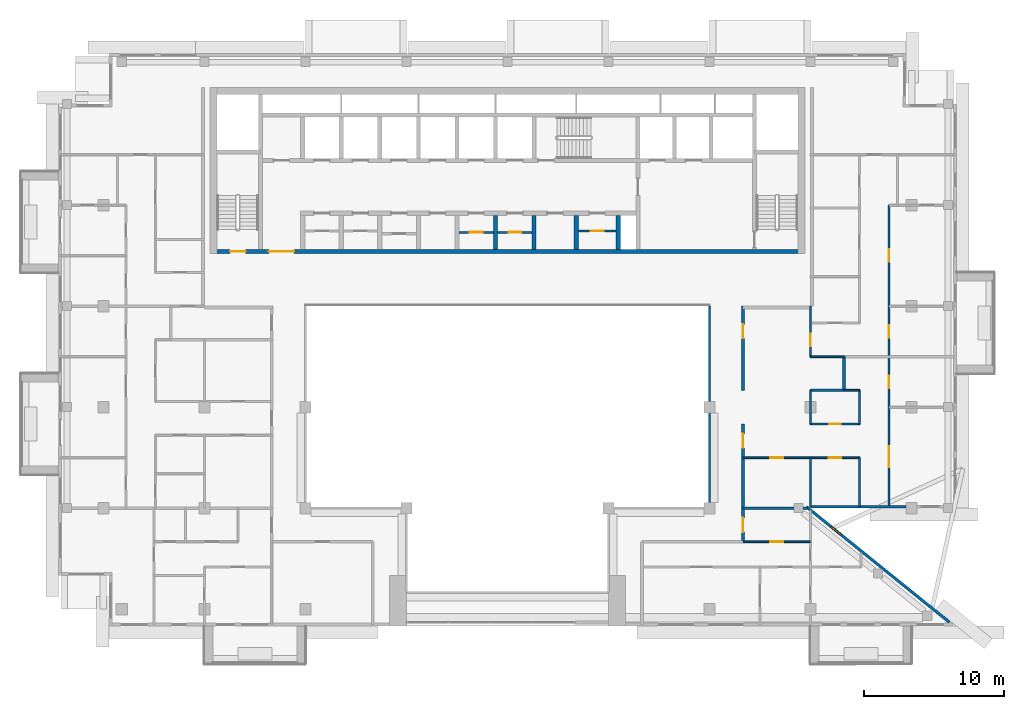
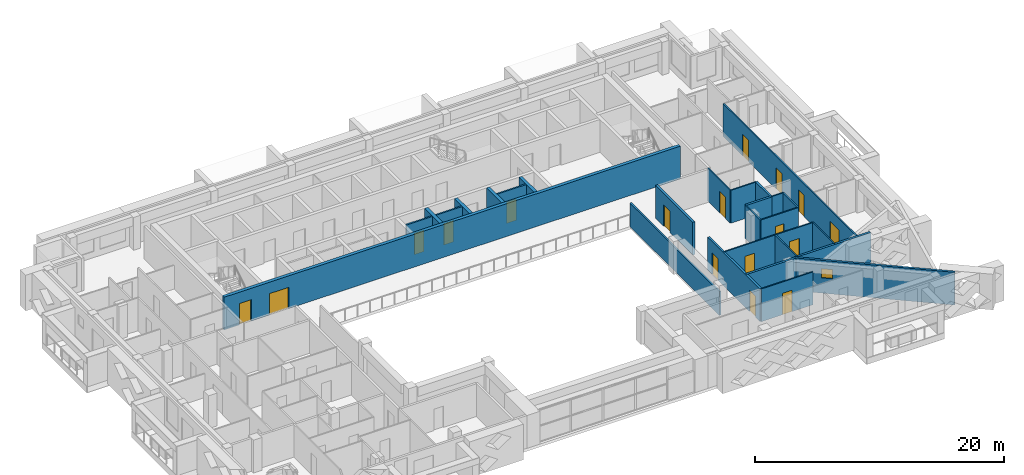
# One storey, part 9 of 19: 27 walls, 17 doors, 1 window, 18 openings.
"""IFC4 building model written with IfcOpenShell, lengths in metres."""

from ifc_helpers import new_model, si_unit, direction, frame, frame_2d, origin, place, context, subcontext, project, spatial, rectangle, extrude, material, layer, layer_set, type_object, element, fill, save


model = new_model("IFC4")

# Units and contexts
model_context = context("Model", 3, precision=1e-05, world=origin(), true_north=direction((0.0, 1.0)))
body_context = subcontext(model_context, "Body", "Model", "MODEL_VIEW")
ifc_project = project(units=[si_unit("LENGTHUNIT", "METRE"), si_unit("AREAUNIT", "SQUARE_METRE"), si_unit("VOLUMEUNIT", "CUBIC_METRE"), si_unit("PLANEANGLEUNIT", "RADIAN"), si_unit("MASSUNIT", "GRAM", prefix="KILO")], contexts=[model_context])

# Site, building, storey
site_placement = place(None, origin())
site = spatial("IfcSite", under=ifc_project, at=site_placement, CompositionType="ELEMENT")
building_placement = place(site_placement, origin())
building = spatial("IfcBuilding", under=site, at=building_placement, Name="Saffron Iwan Residences", CompositionType="ELEMENT")
storey_placement = place(building_placement, frame((0.0, 0.0, 243.0)))
storey = spatial("IfcBuildingStorey", under=building, at=storey_placement, Name="L65", CompositionType="ELEMENT", Elevation=243.0)

# Wall
ifc_material_1 = material(Name="Fire-rated glazing", Category="glass")
ifc_layer_1 = layer(ifc_material_1, 0.14990234375)
ifc_layer_set_1 = layer_set([ifc_layer_1], Name="Fire-rated glazing")
wall_type_1 = type_object("IfcWallType", Name="Atrium glazed screen 150", PredefinedType="SOLIDWALL", material=ifc_layer_set_1)
wall_1_placement = place(storey_placement, frame((64.800048828125, 48.0, 0.0), z_axis=(0.0, 0.0, 1.0), x_axis=(0.0, 1.0, 0.0)))
element("IfcWall", 1, at=wall_1_placement, inside=storey, type_object=wall_type_1, Name="W-L65-SCREEN-v64.8-48", PredefinedType="SOLIDWALL", context=body_context, shape_type="SweptSolid", body=[
    extrude(rectangle(XDim=14.39990234375, YDim=0.14990234375, at=frame_2d((7.199951171875, 0.0))), origin(), (0.0, 0.0, 1.0), 2.320068359375),
])

# Wall, opening, door
ifc_material_2 = material(Name="Fire-rated plasterboard partition")
ifc_layer_2 = layer(ifc_material_2, 0.14990234375)
ifc_layer_set_2 = layer_set([ifc_layer_2], Name="Fire-rated plasterboard partition")
wall_type_2 = type_object("IfcWallType", Name="Core partition 150", PredefinedType="PARTITIONING", material=ifc_layer_set_2)
wall_2_placement = place(storey_placement, frame((46.949951171875, 67.66259765625, 0.0), z_axis=(0.0, 0.0, 1.0), x_axis=(1.0, 0.0, 0.0)))
wall_2 = element("IfcWall", 2, at=wall_2_placement, inside=storey, type_object=wall_type_2, Name="Core partition P04", PredefinedType="PARTITIONING", context=body_context, shape_type="SweptSolid", body=[
    extrude(rectangle(XDim=2.449951171875, YDim=0.14990234375, at=frame_2d((1.22509765625, 0.0))), origin(), (0.0, 0.0, 1.0), 3.219970703125),
])
opening_1_placement = place(wall_2_placement, frame((0.77490234375, 0.0, 0.0)))
opening_1 = element("IfcOpeningElement", 3, at=opening_1_placement, cuts=wall_2, Name="Opening SB", PredefinedType="OPENING", context=body_context, shape_type="SweptSolid", body=[
    extrude(rectangle(XDim=0.89990234375, YDim=2.10009765625, at=frame_2d((0.449951171875, 1.050048828125))), frame((0.0, 0.0849609375, 0.0), z_axis=(0.0, -1.0, 0.0), x_axis=(1.0, 0.0, 0.0)), (0.0, 0.0, 1.0), 0.169921875),
])
ifc_material_3 = material(Name="Steel fire door", Category="steel")
door_type_1 = type_object("IfcDoorType", Name="Store door 900", OperationType="NOTDEFINED", PredefinedType="DOOR", material=ifc_material_3)
door_1_placement = place(opening_1_placement, origin())
door_1 = element("IfcDoor", 4, at=door_1_placement, inside=storey, type_object=door_type_1, Name="Door Spares store", OperationType="SINGLE_SWING_RIGHT", OverallHeight=2.10009765625, OverallWidth=0.89990234375, PredefinedType="DOOR", context=body_context, shape_type="SweptSolid", body=[
    extrude(rectangle(XDim=0.89990234375, YDim=2.10009765625, at=frame_2d((0.449951171875, 1.050048828125))), frame((0.0, 0.02490234375, 0.0), z_axis=(0.0, -1.0, 0.0), x_axis=(1.0, 0.0, 0.0)), (0.0, 0.0, 1.0), 0.050048828125),
])
fill(opening_1, door_1)

wall_3_placement = place(storey_placement, frame((49.699951171875, 67.66259765625, 0.0), z_axis=(0.0, 0.0, 1.0), x_axis=(1.0, 0.0, 0.0)))
wall_3 = element("IfcWall", 5, at=wall_3_placement, inside=storey, type_object=wall_type_2, Name="Core partition P05", PredefinedType="PARTITIONING", context=body_context, shape_type="SweptSolid", body=[
    extrude(rectangle(XDim=2.449951171875, YDim=0.14990234375, at=frame_2d((1.22509765625, 0.0))), origin(), (0.0, 0.0, 1.0), 3.219970703125),
])
opening_2_placement = place(wall_3_placement, frame((0.77490234375, 0.0, 0.0)))
opening_2 = element("IfcOpeningElement", 6, at=opening_2_placement, cuts=wall_3, Name="Opening SB", PredefinedType="OPENING", context=body_context, shape_type="SweptSolid", body=[
    extrude(rectangle(XDim=0.89990234375, YDim=2.10009765625, at=frame_2d((0.449951171875, 1.050048828125))), frame((0.0, 0.0849609375, 0.0), z_axis=(0.0, -1.0, 0.0), x_axis=(1.0, 0.0, 0.0)), (0.0, 0.0, 1.0), 0.169921875),
])
door_2_placement = place(opening_2_placement, origin())
door_2 = element("IfcDoor", 7, at=door_2_placement, inside=storey, type_object=door_type_1, Name="Door Battery room", OperationType="SINGLE_SWING_LEFT", OverallHeight=2.10009765625, OverallWidth=0.89990234375, PredefinedType="DOOR", context=body_context, shape_type="SweptSolid", body=[
    extrude(rectangle(XDim=0.89990234375, YDim=2.10009765625, at=frame_2d((0.449951171875, 1.050048828125))), frame((0.0, 0.02490234375, 0.0), z_axis=(0.0, -1.0, 0.0), x_axis=(1.0, 0.0, 0.0)), (0.0, 0.0, 1.0), 0.050048828125),
])
fill(opening_2, door_2)

wall_4_placement = place(storey_placement, frame((55.449951171875, 67.759521484375, 0.0), z_axis=(0.0, 0.0, 1.0), x_axis=(1.0, 0.0, 0.0)))
wall_4 = element("IfcWall", 8, at=wall_4_placement, inside=storey, type_object=wall_type_2, Name="Core partition P06", PredefinedType="PARTITIONING", context=body_context, shape_type="SweptSolid", body=[
    extrude(rectangle(XDim=2.699951171875, YDim=0.14990234375, at=frame_2d((1.35009765625, 0.0))), origin(), (0.0, 0.0, 1.0), 3.219970703125),
])
opening_3_placement = place(wall_4_placement, frame((0.89990234375, 0.0, 0.0)))
opening_3 = element("IfcOpeningElement", 9, at=opening_3_placement, cuts=wall_4, Name="Opening SB", PredefinedType="OPENING", context=body_context, shape_type="SweptSolid", body=[
    extrude(rectangle(XDim=0.89990234375, YDim=2.10009765625, at=frame_2d((0.449951171875, 1.050048828125))), frame((0.0, 0.0849609375, 0.0), z_axis=(0.0, -1.0, 0.0), x_axis=(1.0, 0.0, 0.0)), (0.0, 0.0, 1.0), 0.169921875),
])
door_3_placement = place(opening_3_placement, origin())
door_3 = element("IfcDoor", 10, at=door_3_placement, inside=storey, type_object=door_type_1, Name="Door Equipment store", OperationType="SINGLE_SWING_LEFT", OverallHeight=2.10009765625, OverallWidth=0.89990234375, PredefinedType="DOOR", context=body_context, shape_type="SweptSolid", body=[
    extrude(rectangle(XDim=0.89990234375, YDim=2.10009765625, at=frame_2d((0.449951171875, 1.050048828125))), frame((0.0, 0.02490234375, 0.0), z_axis=(0.0, -1.0, 0.0), x_axis=(1.0, 0.0, 0.0)), (0.0, 0.0, 1.0), 0.050048828125),
])
fill(opening_3, door_3)

# Wall, opening, window
ifc_material_4 = material(Name="Concrete C40/50", Category="concrete")
ifc_layer_3 = layer(ifc_material_4, 0.199951171875)
ifc_layer_set_3 = layer_set([ifc_layer_3], Name="Concrete C40/50")
wall_type_3 = type_object("IfcWallType", Name="EXTERNAL WALL 200", PredefinedType="SOLIDWALL", material=ifc_layer_set_3)
wall_5_placement = place(storey_placement, frame((81.906982421875, 39.86962890625, 0.0), z_axis=(0.0, 0.0, 1.0), x_axis=(-0.777936274417, 0.62834318087, 0.0)))
wall_5 = element("IfcWall", 11, at=wall_5_placement, inside=storey, type_object=wall_type_3, Name="External wall L65 F0.0", PredefinedType="SOLIDWALL", context=body_context, shape_type="SweptSolid", body=[
    extrude(rectangle(XDim=13.0986328125, YDim=0.199951171875, at=frame_2d((6.54931640625, 0.0))), origin(), (0.0, 0.0, 1.0), 3.219970703125),
])
opening_4_placement = place(wall_5_placement, frame((9.9384765625, 0.0, 1.5)))
opening_4 = element("IfcOpeningElement", 12, at=opening_4_placement, cuts=wall_5, Name="Opening W6", PredefinedType="OPENING", context=body_context, shape_type="SweptSolid", body=[
    extrude(rectangle(XDim=0.89990234375, YDim=0.89990234375, at=frame_2d((0.449951171875, 0.449951171875))), frame((0.0, 0.10986328125, 0.0), z_axis=(0.0, -1.0, 0.0), x_axis=(1.0, 0.0, 0.0)), (0.0, 0.0, 1.0), 0.219970703125),
])
ifc_material_5 = material(Name="Clear glass, laminated double glazed", Category="glass")
window_type = type_object("IfcWindowType", Name="WINDOW 900 x 900 BATH", PartitioningType="SINGLE_PANEL", PredefinedType="WINDOW", material=ifc_material_5)
window_placement = place(opening_4_placement, origin())
window = element("IfcWindow", 13, at=window_placement, inside=storey, type_object=window_type, Name="Window L65 F0.0", OverallHeight=0.89990234375, OverallWidth=0.89990234375, PartitioningType="SINGLE_PANEL", PredefinedType="WINDOW", context=body_context, shape_type="SweptSolid", body=[
    extrude(rectangle(XDim=0.89990234375, YDim=0.89990234375, at=frame_2d((0.449951171875, 0.449951171875))), frame((0.0, 0.030029296875, 0.0), z_axis=(0.0, -1.0, 0.0), x_axis=(1.0, 0.0, 0.0)), (0.0, 0.0, 1.0), 0.06005859375),
])
fill(opening_4, window)

# Walls
wall_6_placement = place(storey_placement, frame((71.987060546875, 48.10009765625, 0.0), z_axis=(0.0, 0.0, 1.0), x_axis=(1.0, 0.0, 0.0)))
element("IfcWall", 14, at=wall_6_placement, inside=storey, type_object=wall_type_3, Name="External wall L65 F1.0", PredefinedType="SOLIDWALL", context=body_context, shape_type="SweptSolid", body=[
    extrude(rectangle(XDim=6.81298828125, YDim=0.199951171875, at=frame_2d((3.406494140625, 0.0))), origin(), (0.0, 0.0, 1.0), 3.219970703125),
])
ifc_material_6 = material(Name="Fire-rated gypsum board wall")
ifc_layer_4 = layer(ifc_material_6, 0.199951171875)
ifc_layer_set_4 = layer_set([ifc_layer_4], Name="Fire-rated gypsum board wall")
wall_type_4 = type_object("IfcWallType", Name="Flat demising wall 200", PredefinedType="SOLIDWALL", material=ifc_layer_set_4)
wall_7_placement = place(storey_placement, frame((67.199951171875, 48.0, 0.0), z_axis=(0.0, 0.0, 1.0), x_axis=(1.0, 0.0, 0.0)))
element("IfcWall", 15, at=wall_7_placement, inside=storey, type_object=wall_type_4, Name="W-L65-DEMISE-h48-67.2", PredefinedType="SOLIDWALL", context=body_context, shape_type="SweptSolid", body=[
    extrude(rectangle(XDim=4.60107421875, YDim=0.199951171875, at=frame_2d((2.300537109375, 0.0))), origin(), (0.0, 0.0, 1.0), 3.219970703125),
])
wall_8_placement = place(storey_placement, frame((72.0, 56.39990234375, 0.0), z_axis=(0.0, 0.0, 1.0), x_axis=(1.0, 0.0, 0.0)))
element("IfcWall", 16, at=wall_8_placement, inside=storey, type_object=wall_type_4, Name="W-L65-DEMISE-h56.4-72", PredefinedType="SOLIDWALL", context=body_context, shape_type="SweptSolid", body=[
    extrude(rectangle(XDim=2.39990234375, YDim=0.199951171875, at=frame_2d((1.199951171875, 0.0))), origin(), (0.0, 0.0, 1.0), 3.219970703125),
])
wall_9_placement = place(storey_placement, frame((74.39990234375, 56.39990234375, 0.0), z_axis=(0.0, 0.0, 1.0), x_axis=(0.0, 1.0, 0.0)))
element("IfcWall", 17, at=wall_9_placement, inside=storey, type_object=wall_type_4, Name="W-L65-DEMISE-v74.4-56.4", PredefinedType="SOLIDWALL", context=body_context, shape_type="SweptSolid", body=[
    extrude(rectangle(XDim=2.400146484375, YDim=0.199951171875, at=frame_2d((1.2001953125, 0.0))), origin(), (0.0, 0.0, 1.0), 3.219970703125),
])

# Wall, opening, door
ifc_material_7 = material(Name="Gypsum board partition")
ifc_layer_5 = layer(ifc_material_7, 0.1201171875)
ifc_layer_set_5 = layer_set([ifc_layer_5], Name="Gypsum board partition")
wall_type_5 = type_object("IfcWallType", Name="Flat partition 120", PredefinedType="PARTITIONING", material=ifc_layer_set_5)
wall_10_placement = place(storey_placement, frame((67.199951171875, 45.60009765625, 0.0), z_axis=(0.0, 0.0, 1.0), x_axis=(1.0, 0.0, 0.0)))
wall_10 = element("IfcWall", 18, at=wall_10_placement, inside=storey, type_object=wall_type_5, Name="W-L65-PART-h45.6-67.2", PredefinedType="PARTITIONING", context=body_context, shape_type="SweptSolid", body=[
    extrude(rectangle(XDim=4.800048828125, YDim=0.1201171875, at=frame_2d((2.39990234375, 0.0))), origin(), (0.0, 0.0, 1.0), 3.219970703125),
])
opening_5_placement = place(wall_10_placement, frame((1.949951171875, 0.0, 0.0)))
opening_5 = element("IfcOpeningElement", 19, at=opening_5_placement, cuts=wall_10, Name="Opening FD2", PredefinedType="OPENING", context=body_context, shape_type="SweptSolid", body=[
    extrude(rectangle(XDim=0.89990234375, YDim=2.10009765625, at=frame_2d((0.449951171875, 1.050048828125))), frame((0.0, 0.070068359375, 0.0), z_axis=(0.0, -1.0, 0.0), x_axis=(1.0, 0.0, 0.0)), (0.0, 0.0, 1.0), 0.14013671875),
])
ifc_material_8 = material(Name="Timber door", Category="wood")
door_type_2 = type_object("IfcDoorType", Name="Flat door 900", OperationType="NOTDEFINED", PredefinedType="DOOR", material=ifc_material_8)
door_4_placement = place(opening_5_placement, origin())
door_4 = element("IfcDoor", 20, at=door_4_placement, inside=storey, type_object=door_type_2, Name="Door L65-041", OperationType="SINGLE_SWING_RIGHT", OverallHeight=2.10009765625, OverallWidth=0.89990234375, PredefinedType="DOOR", context=body_context, shape_type="SweptSolid", body=[
    extrude(rectangle(XDim=0.89990234375, YDim=2.10009765625, at=frame_2d((0.449951171875, 1.050048828125))), frame((0.0, 0.02490234375, 0.0), z_axis=(0.0, -1.0, 0.0), x_axis=(1.0, 0.0, 0.0)), (0.0, 0.0, 1.0), 0.050048828125),
])
fill(opening_5, door_4)

# Wall, openings, doors
wall_11_placement = place(storey_placement, frame((67.199951171875, 51.60009765625, 0.0), z_axis=(0.0, 0.0, 1.0), x_axis=(1.0, 0.0, 0.0)))
wall_11 = element("IfcWall", 21, at=wall_11_placement, inside=storey, type_object=wall_type_5, Name="W-L65-PART-h51.6-67.2", PredefinedType="PARTITIONING", context=body_context, shape_type="SweptSolid", body=[
    extrude(rectangle(XDim=8.300048828125, YDim=0.1201171875, at=frame_2d((4.14990234375, 0.0))), origin(), (0.0, 0.0, 1.0), 3.219970703125),
])
opening_6_placement = place(wall_11_placement, frame((6.10009765625, 0.0, 0.0)))
opening_6 = element("IfcOpeningElement", 22, at=opening_6_placement, cuts=wall_11, Name="Opening FD2", PredefinedType="OPENING", context=body_context, shape_type="SweptSolid", body=[
    extrude(rectangle(XDim=0.89990234375, YDim=2.10009765625, at=frame_2d((0.449951171875, 1.050048828125))), frame((0.0, 0.070068359375, 0.0), z_axis=(0.0, -1.0, 0.0), x_axis=(1.0, 0.0, 0.0)), (0.0, 0.0, 1.0), 0.14013671875),
])
opening_7_placement = place(wall_11_placement, frame((1.949951171875, 0.0, 0.0)))
opening_7 = element("IfcOpeningElement", 23, at=opening_7_placement, cuts=wall_11, Name="Opening FD2", PredefinedType="OPENING", context=body_context, shape_type="SweptSolid", body=[
    extrude(rectangle(XDim=0.89990234375, YDim=2.10009765625, at=frame_2d((0.449951171875, 1.050048828125))), frame((0.0, 0.070068359375, 0.0), z_axis=(0.0, -1.0, 0.0), x_axis=(1.0, 0.0, 0.0)), (0.0, 0.0, 1.0), 0.14013671875),
])
door_5_placement = place(opening_6_placement, origin())
door_5 = element("IfcDoor", 24, at=door_5_placement, inside=storey, type_object=door_type_2, Name="Door L65-020", OperationType="SINGLE_SWING_RIGHT", OverallHeight=2.10009765625, OverallWidth=0.89990234375, PredefinedType="DOOR", context=body_context, shape_type="SweptSolid", body=[
    extrude(rectangle(XDim=0.89990234375, YDim=2.10009765625, at=frame_2d((0.449951171875, 1.050048828125))), frame((0.0, 0.02490234375, 0.0), z_axis=(0.0, -1.0, 0.0), x_axis=(1.0, 0.0, 0.0)), (0.0, 0.0, 1.0), 0.050048828125),
])
fill(opening_6, door_5)
door_6_placement = place(opening_7_placement, origin())
door_6 = element("IfcDoor", 25, at=door_6_placement, inside=storey, type_object=door_type_2, Name="Door L65-022", OperationType="SINGLE_SWING_LEFT", OverallHeight=2.10009765625, OverallWidth=0.89990234375, PredefinedType="DOOR", context=body_context, shape_type="SweptSolid", body=[
    extrude(rectangle(XDim=0.89990234375, YDim=2.10009765625, at=frame_2d((0.449951171875, 1.050048828125))), frame((0.0, 0.02490234375, 0.0), z_axis=(0.0, -1.0, 0.0), x_axis=(1.0, 0.0, 0.0)), (0.0, 0.0, 1.0), 0.050048828125),
])
fill(opening_7, door_6)

# Wall, opening, door
wall_12_placement = place(storey_placement, frame((72.0, 54.0, 0.0), z_axis=(0.0, 0.0, 1.0), x_axis=(1.0, 0.0, 0.0)))
wall_12 = element("IfcWall", 26, at=wall_12_placement, inside=storey, type_object=wall_type_5, Name="W-L65-PART-h54-72", PredefinedType="PARTITIONING", context=body_context, shape_type="SweptSolid", body=[
    extrude(rectangle(XDim=3.5, YDim=0.1201171875, at=frame_2d((1.75, 0.0))), origin(), (0.0, 0.0, 1.0), 3.219970703125),
])
opening_8_placement = place(wall_12_placement, frame((1.35009765625, 0.0, 0.0)))
opening_8 = element("IfcOpeningElement", 27, at=opening_8_placement, cuts=wall_12, Name="Opening FD3", PredefinedType="OPENING", context=body_context, shape_type="SweptSolid", body=[
    extrude(rectangle(XDim=0.800048828125, YDim=2.10009765625, at=frame_2d((0.39990234375, 1.050048828125))), frame((0.0, 0.070068359375, 0.0), z_axis=(0.0, -1.0, 0.0), x_axis=(1.0, 0.0, 0.0)), (0.0, 0.0, 1.0), 0.14013671875),
])
door_type_3 = type_object("IfcDoorType", Name="Bathroom door 800", OperationType="NOTDEFINED", PredefinedType="DOOR", material=ifc_material_8)
door_7_placement = place(opening_8_placement, origin())
door_7 = element("IfcDoor", 28, at=door_7_placement, inside=storey, type_object=door_type_3, Name="Door L65-021", OperationType="SINGLE_SWING_LEFT", OverallHeight=2.10009765625, OverallWidth=0.800048828125, PredefinedType="DOOR", context=body_context, shape_type="SweptSolid", body=[
    extrude(rectangle(XDim=0.800048828125, YDim=2.10009765625, at=frame_2d((0.39990234375, 1.050048828125))), frame((0.0, 0.02490234375, 0.0), z_axis=(0.0, -1.0, 0.0), x_axis=(1.0, 0.0, 0.0)), (0.0, 0.0, 1.0), 0.050048828125),
])
fill(opening_8, door_7)

# Walls
wall_13_placement = place(storey_placement, frame((74.39990234375, 56.39990234375, 0.0), z_axis=(0.0, 0.0, 1.0), x_axis=(1.0, 0.0, 0.0)))
element("IfcWall", 29, at=wall_13_placement, inside=storey, type_object=wall_type_5, Name="W-L65-PART-h56.4-74.4", PredefinedType="PARTITIONING", context=body_context, shape_type="SweptSolid", body=[
    extrude(rectangle(XDim=1.10009765625, YDim=0.1201171875, at=frame_2d((0.550048828125, 0.0))), origin(), (0.0, 0.0, 1.0), 3.219970703125),
])
wall_14_placement = place(storey_placement, frame((72.0, 58.800048828125, 0.0), z_axis=(0.0, 0.0, 1.0), x_axis=(1.0, 0.0, 0.0)))
element("IfcWall", 30, at=wall_14_placement, inside=storey, type_object=wall_type_5, Name="W-L65-PART-h58.8-72", PredefinedType="PARTITIONING", context=body_context, shape_type="SweptSolid", body=[
    extrude(rectangle(XDim=2.39990234375, YDim=0.1201171875, at=frame_2d((1.199951171875, 0.0))), origin(), (0.0, 0.0, 1.0), 3.219970703125),
])
wall_15_placement = place(storey_placement, frame((72.0, 48.125, 0.0), z_axis=(0.0, 0.0, 1.0), x_axis=(0.0, 1.0, 0.0)))
element("IfcWall", 31, at=wall_15_placement, inside=storey, type_object=wall_type_5, Name="W-L65-PART-v72-48.125", PredefinedType="PARTITIONING", context=body_context, shape_type="SweptSolid", body=[
    extrude(rectangle(XDim=3.47509765625, YDim=0.1201171875, at=frame_2d((1.737548828125, 0.0))), origin(), (0.0, 0.0, 1.0), 3.219970703125),
])
wall_16_placement = place(storey_placement, frame((72.0, 54.0, 0.0), z_axis=(0.0, 0.0, 1.0), x_axis=(0.0, 1.0, 0.0)))
element("IfcWall", 32, at=wall_16_placement, inside=storey, type_object=wall_type_5, Name="W-L65-PART-v72-54", PredefinedType="PARTITIONING", context=body_context, shape_type="SweptSolid", body=[
    extrude(rectangle(XDim=2.39990234375, YDim=0.1201171875, at=frame_2d((1.199951171875, 0.0))), origin(), (0.0, 0.0, 1.0), 3.219970703125),
])

# Wall, opening, door
wall_17_placement = place(storey_placement, frame((72.0, 58.800048828125, 0.0), z_axis=(0.0, 0.0, 1.0), x_axis=(0.0, 1.0, 0.0)))
wall_17 = element("IfcWall", 33, at=wall_17_placement, inside=storey, type_object=wall_type_5, Name="W-L65-PART-v72-58.8", PredefinedType="PARTITIONING", context=body_context, shape_type="SweptSolid", body=[
    extrude(rectangle(XDim=3.599853515625, YDim=0.1201171875, at=frame_2d((1.7998046875, 0.0))), origin(), (0.0, 0.0, 1.0), 3.219970703125),
])
opening_9_placement = place(wall_17_placement, frame((0.75, 0.0, 0.0)))
opening_9 = element("IfcOpeningElement", 34, at=opening_9_placement, cuts=wall_17, Name="Opening FD2", PredefinedType="OPENING", context=body_context, shape_type="SweptSolid", body=[
    extrude(rectangle(XDim=0.89990234375, YDim=2.10009765625, at=frame_2d((0.449951171875, 1.050048828125))), frame((0.0, 0.070068359375, 0.0), z_axis=(0.0, -1.0, 0.0), x_axis=(1.0, 0.0, 0.0)), (0.0, 0.0, 1.0), 0.14013671875),
])
door_8_placement = place(opening_9_placement, origin())
door_8 = element("IfcDoor", 35, at=door_8_placement, inside=storey, type_object=door_type_2, Name="Door L65-031", OperationType="SINGLE_SWING_LEFT", OverallHeight=2.10009765625, OverallWidth=0.89990234375, PredefinedType="DOOR", context=body_context, shape_type="SweptSolid", body=[
    extrude(rectangle(XDim=0.89990234375, YDim=2.10009765625, at=frame_2d((0.449951171875, 1.050048828125))), frame((0.0, 0.02490234375, 0.0), z_axis=(0.0, -1.0, 0.0), x_axis=(1.0, 0.0, 0.0)), (0.0, 0.0, 1.0), 0.050048828125),
])
fill(opening_9, door_8)

# Walls
wall_18_placement = place(storey_placement, frame((75.5, 48.125, 0.0), z_axis=(0.0, 0.0, 1.0), x_axis=(0.0, 1.0, 0.0)))
element("IfcWall", 36, at=wall_18_placement, inside=storey, type_object=wall_type_5, Name="W-L65-PART-v75.5-48.125", PredefinedType="PARTITIONING", context=body_context, shape_type="SweptSolid", body=[
    extrude(rectangle(XDim=3.47509765625, YDim=0.1201171875, at=frame_2d((1.737548828125, 0.0))), origin(), (0.0, 0.0, 1.0), 3.219970703125),
])
wall_19_placement = place(storey_placement, frame((75.5, 54.0, 0.0), z_axis=(0.0, 0.0, 1.0), x_axis=(0.0, 1.0, 0.0)))
element("IfcWall", 37, at=wall_19_placement, inside=storey, type_object=wall_type_5, Name="W-L65-PART-v75.5-54", PredefinedType="PARTITIONING", context=body_context, shape_type="SweptSolid", body=[
    extrude(rectangle(XDim=2.39990234375, YDim=0.1201171875, at=frame_2d((1.199951171875, 0.0))), origin(), (0.0, 0.0, 1.0), 3.219970703125),
])

# Wall, openings, doors
wall_20_placement = place(storey_placement, frame((77.60009765625, 48.125, 0.0), z_axis=(0.0, 0.0, 1.0), x_axis=(0.0, 1.0, 0.0)))
wall_20 = element("IfcWall", 38, at=wall_20_placement, inside=storey, type_object=wall_type_5, Name="W-L65-PART-v77.6-48.125", PredefinedType="PARTITIONING", context=body_context, shape_type="SweptSolid", body=[
    extrude(rectangle(XDim=21.47509765625, YDim=0.1201171875, at=frame_2d((10.737548828125, 0.0))), origin(), (0.0, 0.0, 1.0), 3.219970703125),
])
opening_10_placement = place(wall_20_placement, frame((2.78759765625, 0.0, 0.0)))
opening_10 = element("IfcOpeningElement", 39, at=opening_10_placement, cuts=wall_20, Name="Opening FD4", PredefinedType="OPENING", context=body_context, shape_type="SweptSolid", body=[
    extrude(rectangle(XDim=1.5, YDim=2.10009765625, at=frame_2d((0.75, 1.050048828125))), frame((0.0, 0.070068359375, 0.0), z_axis=(0.0, -1.0, 0.0), x_axis=(1.0, 0.0, 0.0)), (0.0, 0.0, 1.0), 0.14013671875),
])
opening_11_placement = place(wall_20_placement, frame((8.425048828125, 0.0, 0.0)))
opening_11 = element("IfcOpeningElement", 40, at=opening_11_placement, cuts=wall_20, Name="Opening FD2", PredefinedType="OPENING", context=body_context, shape_type="SweptSolid", body=[
    extrude(rectangle(XDim=0.89990234375, YDim=2.10009765625, at=frame_2d((0.449951171875, 1.050048828125))), frame((0.0, 0.070068359375, 0.0), z_axis=(0.0, -1.0, 0.0), x_axis=(1.0, 0.0, 0.0)), (0.0, 0.0, 1.0), 0.14013671875),
])
opening_12_placement = place(wall_20_placement, frame((12.02490234375, 0.0, 0.0)))
opening_12 = element("IfcOpeningElement", 41, at=opening_12_placement, cuts=wall_20, Name="Opening FD2", PredefinedType="OPENING", context=body_context, shape_type="SweptSolid", body=[
    extrude(rectangle(XDim=0.89990234375, YDim=2.10009765625, at=frame_2d((0.449951171875, 1.050048828125))), frame((0.0, 0.070068359375, 0.0), z_axis=(0.0, -1.0, 0.0), x_axis=(1.0, 0.0, 0.0)), (0.0, 0.0, 1.0), 0.14013671875),
])
opening_13_placement = place(wall_20_placement, frame((17.425048828125, 0.0, 0.0)))
opening_13 = element("IfcOpeningElement", 42, at=opening_13_placement, cuts=wall_20, Name="Opening FD2", PredefinedType="OPENING", context=body_context, shape_type="SweptSolid", body=[
    extrude(rectangle(XDim=0.89990234375, YDim=2.10009765625, at=frame_2d((0.449951171875, 1.050048828125))), frame((0.0, 0.070068359375, 0.0), z_axis=(0.0, -1.0, 0.0), x_axis=(1.0, 0.0, 0.0)), (0.0, 0.0, 1.0), 0.14013671875),
])
door_type_4 = type_object("IfcDoorType", Name="Double door 1500", OperationType="NOTDEFINED", PredefinedType="DOOR", material=ifc_material_8)
door_9_placement = place(opening_10_placement, origin())
door_9 = element("IfcDoor", 43, at=door_9_placement, inside=storey, type_object=door_type_4, Name="Door L65-018", OperationType="SINGLE_SWING_LEFT", OverallHeight=2.10009765625, OverallWidth=1.5, PredefinedType="DOOR", context=body_context, shape_type="SweptSolid", body=[
    extrude(rectangle(XDim=1.5, YDim=2.10009765625, at=frame_2d((0.75, 1.050048828125))), frame((0.0, 0.02490234375, 0.0), z_axis=(0.0, -1.0, 0.0), x_axis=(1.0, 0.0, 0.0)), (0.0, 0.0, 1.0), 0.050048828125),
])
fill(opening_10, door_9)
door_10_placement = place(opening_11_placement, origin())
door_10 = element("IfcDoor", 44, at=door_10_placement, inside=storey, type_object=door_type_2, Name="Door L65-019", OperationType="SINGLE_SWING_LEFT", OverallHeight=2.10009765625, OverallWidth=0.89990234375, PredefinedType="DOOR", context=body_context, shape_type="SweptSolid", body=[
    extrude(rectangle(XDim=0.89990234375, YDim=2.10009765625, at=frame_2d((0.449951171875, 1.050048828125))), frame((0.0, 0.02490234375, 0.0), z_axis=(0.0, -1.0, 0.0), x_axis=(1.0, 0.0, 0.0)), (0.0, 0.0, 1.0), 0.050048828125),
])
fill(opening_11, door_10)
door_11_placement = place(opening_12_placement, origin())
door_11 = element("IfcDoor", 45, at=door_11_placement, inside=storey, type_object=door_type_2, Name="Door L65-033", OperationType="SINGLE_SWING_LEFT", OverallHeight=2.10009765625, OverallWidth=0.89990234375, PredefinedType="DOOR", context=body_context, shape_type="SweptSolid", body=[
    extrude(rectangle(XDim=0.89990234375, YDim=2.10009765625, at=frame_2d((0.449951171875, 1.050048828125))), frame((0.0, 0.02490234375, 0.0), z_axis=(0.0, -1.0, 0.0), x_axis=(1.0, 0.0, 0.0)), (0.0, 0.0, 1.0), 0.050048828125),
])
fill(opening_12, door_11)
door_12_placement = place(opening_13_placement, origin())
door_12 = element("IfcDoor", 46, at=door_12_placement, inside=storey, type_object=door_type_2, Name="Door L65-034", OperationType="SINGLE_SWING_LEFT", OverallHeight=2.10009765625, OverallWidth=0.89990234375, PredefinedType="DOOR", context=body_context, shape_type="SweptSolid", body=[
    extrude(rectangle(XDim=0.89990234375, YDim=2.10009765625, at=frame_2d((0.449951171875, 1.050048828125))), frame((0.0, 0.02490234375, 0.0), z_axis=(0.0, -1.0, 0.0), x_axis=(1.0, 0.0, 0.0)), (0.0, 0.0, 1.0), 0.050048828125),
])
fill(opening_13, door_12)

ifc_layer_6 = layer(ifc_material_6, 0.199951171875)
ifc_layer_set_6 = layer_set([ifc_layer_6], Name="Fire-rated gypsum board wall")
wall_type_6 = type_object("IfcWallType", Name="Gallery wall 200", PredefinedType="SOLIDWALL", material=ifc_layer_set_6)
wall_21_placement = place(storey_placement, frame((67.199951171875, 45.60009765625, 0.0), z_axis=(0.0, 0.0, 1.0), x_axis=(0.0, 1.0, 0.0)))
wall_21 = element("IfcWall", 47, at=wall_21_placement, inside=storey, type_object=wall_type_6, Name="W-L65-CORR-v67.2-45.6", PredefinedType="SOLIDWALL", context=body_context, shape_type="SweptSolid", body=[
    extrude(rectangle(XDim=8.39990234375, YDim=0.199951171875, at=frame_2d((4.199951171875, 0.0))), origin(), (0.0, 0.0, 1.0), 3.219970703125),
])
opening_14_placement = place(wall_21_placement, frame((6.699951171875, 0.0, 0.0)))
opening_14 = element("IfcOpeningElement", 48, at=opening_14_placement, cuts=wall_21, Name="Opening FD1", PredefinedType="OPENING", context=body_context, shape_type="SweptSolid", body=[
    extrude(rectangle(XDim=1.0, YDim=2.10009765625, at=frame_2d((0.5, 1.050048828125))), frame((0.0, 0.10986328125, 0.0), z_axis=(0.0, -1.0, 0.0), x_axis=(1.0, 0.0, 0.0)), (0.0, 0.0, 1.0), 0.219970703125),
])
opening_15_placement = place(wall_21_placement, frame((0.699951171875, 0.0, 0.0)))
opening_15 = element("IfcOpeningElement", 49, at=opening_15_placement, cuts=wall_21, Name="Opening FD5", PredefinedType="OPENING", context=body_context, shape_type="SweptSolid", body=[
    extrude(rectangle(XDim=1.0, YDim=2.10009765625, at=frame_2d((0.5, 1.050048828125))), frame((0.0, 0.10986328125, 0.0), z_axis=(0.0, -1.0, 0.0), x_axis=(1.0, 0.0, 0.0)), (0.0, 0.0, 1.0), 0.219970703125),
])
ifc_material_9 = material(Name="Fire-rated timber door", Category="wood")
door_type_5 = type_object("IfcDoorType", Name="FD30S flat entrance door 1000", OperationType="NOTDEFINED", PredefinedType="DOOR", material=ifc_material_9)
door_13_placement = place(opening_14_placement, origin())
door_13 = element("IfcDoor", 50, at=door_13_placement, inside=storey, type_object=door_type_5, Name="Door L65-017", OperationType="SINGLE_SWING_RIGHT", OverallHeight=2.10009765625, OverallWidth=1.0, PredefinedType="DOOR", context=body_context, shape_type="SweptSolid", body=[
    extrude(rectangle(XDim=1.0, YDim=2.10009765625, at=frame_2d((0.5, 1.050048828125))), frame((0.0, 0.02490234375, 0.0), z_axis=(0.0, -1.0, 0.0), x_axis=(1.0, 0.0, 0.0)), (0.0, 0.0, 1.0), 0.050048828125),
])
fill(opening_14, door_13)
door_type_6 = type_object("IfcDoorType", Name="Lobby door 1000", OperationType="NOTDEFINED", PredefinedType="DOOR", material=ifc_material_9)
door_14_placement = place(opening_15_placement, origin())
door_14 = element("IfcDoor", 51, at=door_14_placement, inside=storey, type_object=door_type_6, Name="Door L65-042", OperationType="SINGLE_SWING_LEFT", OverallHeight=2.10009765625, OverallWidth=1.0, PredefinedType="DOOR", context=body_context, shape_type="SweptSolid", body=[
    extrude(rectangle(XDim=1.0, YDim=2.10009765625, at=frame_2d((0.5, 1.050048828125))), frame((0.0, 0.02490234375, 0.0), z_axis=(0.0, -1.0, 0.0), x_axis=(1.0, 0.0, 0.0)), (0.0, 0.0, 1.0), 0.050048828125),
])
fill(opening_15, door_14)

# Wall, opening, door
wall_22_placement = place(storey_placement, frame((67.199951171875, 56.39990234375, 0.0), z_axis=(0.0, 0.0, 1.0), x_axis=(0.0, 1.0, 0.0)))
wall_22 = element("IfcWall", 52, at=wall_22_placement, inside=storey, type_object=wall_type_6, Name="W-L65-CORR-v67.2-56.4", PredefinedType="SOLIDWALL", context=body_context, shape_type="SweptSolid", body=[
    extrude(rectangle(XDim=6.0, YDim=0.199951171875, at=frame_2d((3.0, 0.0))), origin(), (0.0, 0.0, 1.0), 3.219970703125),
])
opening_16_placement = place(wall_22_placement, frame((3.699951171875, 0.0, 0.0)))
opening_16 = element("IfcOpeningElement", 53, at=opening_16_placement, cuts=wall_22, Name="Opening FD5", PredefinedType="OPENING", context=body_context, shape_type="SweptSolid", body=[
    extrude(rectangle(XDim=1.0, YDim=2.10009765625, at=frame_2d((0.5, 1.050048828125))), frame((0.0, 0.10986328125, 0.0), z_axis=(0.0, -1.0, 0.0), x_axis=(1.0, 0.0, 0.0)), (0.0, 0.0, 1.0), 0.219970703125),
])
door_15_placement = place(opening_16_placement, origin())
door_15 = element("IfcDoor", 54, at=door_15_placement, inside=storey, type_object=door_type_6, Name="Door L65-032", OperationType="SINGLE_SWING_RIGHT", OverallHeight=2.10009765625, OverallWidth=1.0, PredefinedType="DOOR", context=body_context, shape_type="SweptSolid", body=[
    extrude(rectangle(XDim=1.0, YDim=2.10009765625, at=frame_2d((0.5, 1.050048828125))), frame((0.0, 0.02490234375, 0.0), z_axis=(0.0, -1.0, 0.0), x_axis=(1.0, 0.0, 0.0)), (0.0, 0.0, 1.0), 0.050048828125),
])
fill(opening_16, door_15)

# Wall, openings, doors
ifc_layer_7 = layer(ifc_material_4, 0.300048828125)
ifc_layer_set_7 = layer_set([ifc_layer_7], Name="Concrete C40/50")
wall_type_7 = type_object("IfcWallType", Name="WALL CORE 300 C40/50 3220 HIGH", PredefinedType="SHEAR", material=ifc_layer_set_7)
wall_23_placement = place(storey_placement, frame((29.199951171875, 66.300048828125, 0.0), z_axis=(0.0, 0.0, 1.0), x_axis=(1.0, 0.0, 0.0)))
wall_23 = element("IfcWall", 55, at=wall_23_placement, inside=storey, type_object=wall_type_7, Name="Core wall", PredefinedType="SHEAR", context=body_context, shape_type="SweptSolid", body=[
    extrude(rectangle(XDim=42.400146484375, YDim=0.300048828125, at=frame_2d((21.2001953125, 0.0))), origin(), (0.0, 0.0, 1.0), 3.219970703125),
])
opening_17_placement = place(wall_23_placement, frame((1.425048828125, 0.0, 0.0)))
opening_17 = element("IfcOpeningElement", 56, at=opening_17_placement, cuts=wall_23, Name="Opening SD", PredefinedType="OPENING", context=body_context, shape_type="SweptSolid", body=[
    extrude(rectangle(XDim=1.10009765625, YDim=2.10009765625, at=frame_2d((0.550048828125, 1.050048828125))), frame((0.0, 0.16015625, 0.0), z_axis=(0.0, -1.0, 0.0), x_axis=(1.0, 0.0, 0.0)), (0.0, 0.0, 1.0), 0.320068359375),
])
opening_18_placement = place(wall_23_placement, frame((4.199951171875, 0.0, 0.0)))
opening_18 = element("IfcOpeningElement", 57, at=opening_18_placement, cuts=wall_23, Name="Opening DD", PredefinedType="OPENING", context=body_context, shape_type="SweptSolid", body=[
    extrude(rectangle(XDim=1.800048828125, YDim=2.10009765625, at=frame_2d((0.89990234375, 1.050048828125))), frame((0.0, 0.16015625, 0.0), z_axis=(0.0, -1.0, 0.0), x_axis=(1.0, 0.0, 0.0)), (0.0, 0.0, 1.0), 0.320068359375),
])
door_type_7 = type_object("IfcDoorType", Name="Lobby double door 1800", OperationType="DOUBLE_DOOR_SINGLE_SWING", PredefinedType="DOOR", material=ifc_material_3)
door_16_placement = place(opening_18_placement, origin())
door_16 = element("IfcDoor", 58, at=door_16_placement, inside=storey, type_object=door_type_7, Name="Lobby doors", OperationType="DOUBLE_DOOR_SINGLE_SWING", OverallHeight=2.10009765625, OverallWidth=1.800048828125, PredefinedType="DOOR", context=body_context, shape_type="SweptSolid", body=[
    extrude(rectangle(XDim=1.800048828125, YDim=2.10009765625, at=frame_2d((0.89990234375, 1.050048828125))), frame((0.0, 0.02490234375, 0.0), z_axis=(0.0, -1.0, 0.0), x_axis=(1.0, 0.0, 0.0)), (0.0, 0.0, 1.0), 0.050048828125),
])
fill(opening_18, door_16)
door_type_8 = type_object("IfcDoorType", Name="Stair door 1100", OperationType="NOTDEFINED", PredefinedType="DOOR", material=ifc_material_3)
door_17_placement = place(opening_17_placement, origin())
door_17 = element("IfcDoor", 59, at=door_17_placement, inside=storey, type_object=door_type_8, Name="Stair door ST-W", OperationType="SINGLE_SWING_LEFT", OverallHeight=2.10009765625, OverallWidth=1.10009765625, PredefinedType="DOOR", context=body_context, shape_type="SweptSolid", body=[
    extrude(rectangle(XDim=1.10009765625, YDim=2.10009765625, at=frame_2d((0.550048828125, 1.050048828125))), frame((0.0, 0.02490234375, 0.0), z_axis=(0.0, -1.0, 0.0), x_axis=(1.0, 0.0, 0.0)), (0.0, 0.0, 1.0), 0.050048828125),
])
fill(opening_17, door_17)

# Walls
for number, where, z_axis, x_axis, name in (
    (60, (49.550048828125, 66.449951171875, 0.0), (0.0, 0.0, 1.0), (0.0, 1.0, 0.0), "Core wall"),
    (61, (52.300048828125, 66.449951171875, 0.0), (0.0, 0.0, 1.0), (0.0, 1.0, 0.0), "Core wall"),
    (62, (55.300048828125, 66.449951171875, 0.0), (0.0, 0.0, 1.0), (0.0, 1.0, 0.0), "Core wall"),
    (63, (58.300048828125, 66.449951171875, 0.0), (0.0, 0.0, 1.0), (0.0, 1.0, 0.0), "Core wall"),
):
    element("IfcWall", number, at=place(storey_placement, frame(where, z_axis=z_axis, x_axis=x_axis)), inside=storey, type_object=wall_type_7, Name=name, PredefinedType="SHEAR", context=body_context, shape_type="SweptSolid", body=[
        extrude(rectangle(XDim=2.425048828125, YDim=0.300048828125, at=frame_2d((1.21240234375, 0.0))), origin(), (0.0, 0.0, 1.0), 3.219970703125),
    ])

save(model, "model.ifc")
